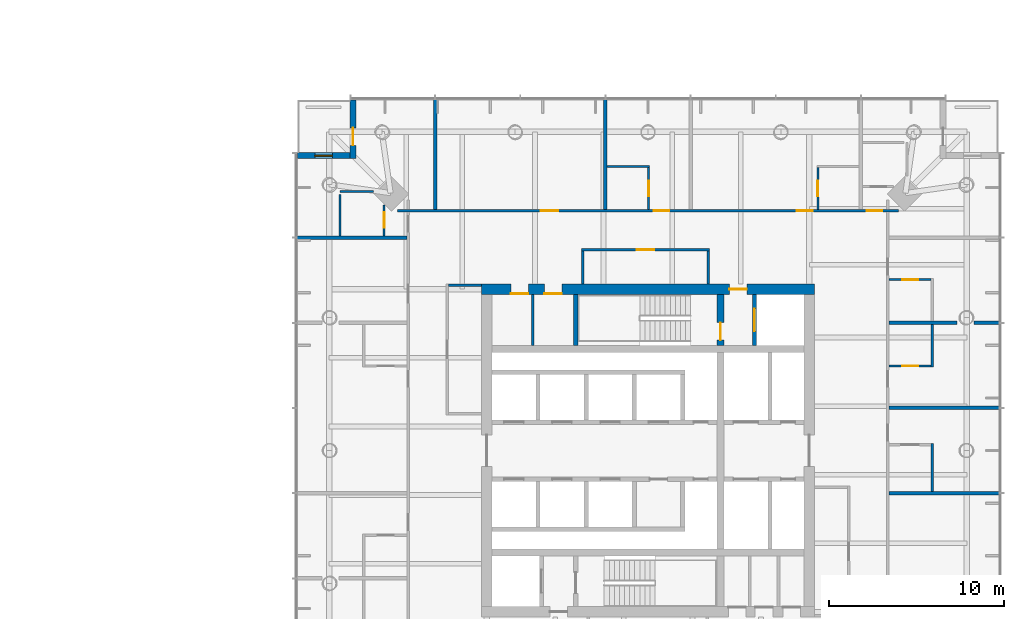
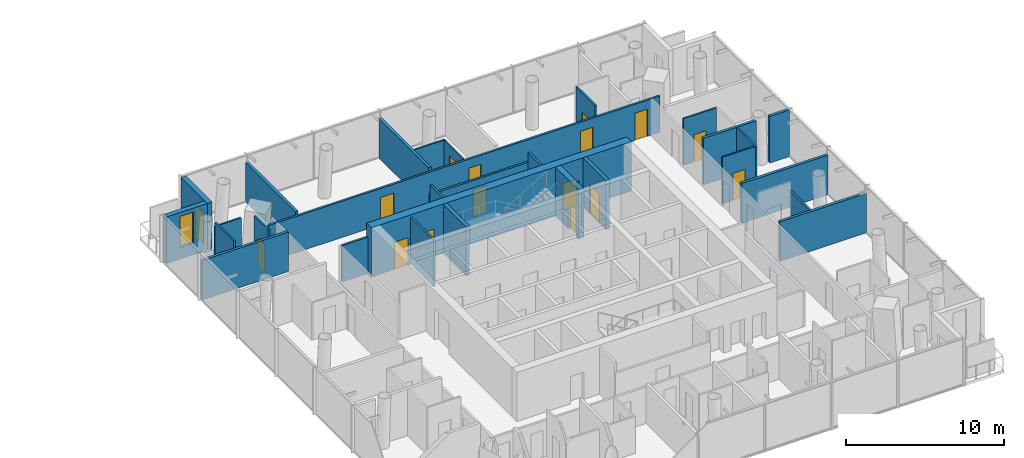
# One storey, part 17 of 22: 29 walls, 16 doors, 1 window, 17 openings.
"""IFC4 building model written with IfcOpenShell, lengths in metres."""

import ifcopenshell
import ifcopenshell.guid

model = None  # the IFC model being written
_history = None  # IfcOwnerHistory: only IFC2X3 demands one
_inside = {}  # id of a spatial element -> (the spatial element, [elements in it])
_under = {}  # id of a project, library or spatial element -> (it, [spatial elements below it])
_declared = {}  # id of a project -> (the project, [libraries it declares])
_typed = {}  # id of a type object -> (the type object, [elements of that type])
_made_of = {}  # id of a material, layer set ... -> (it, [elements and type objects made of it])


def new_model(schema):
    """Start an empty IFC model of exactly this schema.

    Asked for "IFC4X3", IfcOpenShell would pick the latest addendum, in which some entities
    have other attributes; the version numbers below select the first issue.
    IFC2X3 requires an IfcOwnerHistory on every rooted entity: one is made here for all.
    """
    global model, _history
    if schema == "IFC4X3":
        model = ifcopenshell.file(schema_version=(4, 3, 0, 0))
    else:
        model = ifcopenshell.file(schema=schema)
    _inside.clear()
    _under.clear()
    _declared.clear()
    _typed.clear()
    _made_of.clear()
    _history = None
    if model.schema == "IFC2X3":
        org = make("IfcOrganization", Name="unknown")
        user = make(
            "IfcPersonAndOrganization",
            ThePerson=make("IfcPerson", FamilyName="unknown"),
            TheOrganization=org,
        )
        app = make(
            "IfcApplication",
            ApplicationDeveloper=org,
            Version="unknown",
            ApplicationFullName="unknown",
            ApplicationIdentifier="unknown",
        )
        _history = make(
            "IfcOwnerHistory",
            OwningUser=user,
            OwningApplication=app,
            ChangeAction="ADDED",
            CreationDate=0,
        )
    return model


def make(cls, **values):
    """One entity of the class cls with the attributes given. An attribute that is None is left unset."""
    return model.create_entity(
        cls, **{name: value for name, value in values.items() if value is not None}
    )


def rooted(cls, **values):
    """An entity with a GlobalId (a new one), such as an element, a storey or a relation."""
    return make(cls, GlobalId=ifcopenshell.guid.new(), OwnerHistory=_history, **values)


def si_unit(unit_type, name, prefix=None):
    """IfcSIUnit, for example si_unit("LENGTHUNIT", "METRE", prefix="MILLI")."""
    return make("IfcSIUnit", UnitType=unit_type, Prefix=prefix, Name=name)


def assignment(units):
    """IfcUnitAssignment: the units of a project."""
    return None if units is None else make("IfcUnitAssignment", Units=units)


def point(xyz):
    """IfcCartesianPoint."""
    return None if xyz is None else make("IfcCartesianPoint", Coordinates=xyz)


def direction(xyz):
    """IfcDirection."""
    return None if xyz is None else make("IfcDirection", DirectionRatios=xyz)


def frame(location, z_axis=None, x_axis=None):
    """IfcAxis2Placement3D, a coordinate frame: its origin and axes. An axis left out is left unset."""
    return make(
        "IfcAxis2Placement3D",
        Location=point(location),
        Axis=direction(z_axis),
        RefDirection=direction(x_axis),
    )


def frame_2d(location, x_axis=None):
    """IfcAxis2Placement2D, a coordinate frame in the plane: its origin and x axis."""
    return make(
        "IfcAxis2Placement2D", Location=point(location), RefDirection=direction(x_axis)
    )


def origin():
    """The frame at (0, 0, 0) with its axes left unset."""
    return frame((0.0, 0.0, 0.0))


def place(relative_to, where):
    """IfcLocalPlacement: puts the frame where relative to a parent placement (None: the world)."""
    return make(
        "IfcLocalPlacement", PlacementRelTo=relative_to, RelativePlacement=where
    )


def context(
    kind, dimensions, precision=None, world=None, true_north=None, identifier=None
):
    """IfcGeometricRepresentationContext, for example the 3D "Model" context."""
    return make(
        "IfcGeometricRepresentationContext",
        ContextIdentifier=identifier,
        ContextType=kind,
        CoordinateSpaceDimension=dimensions,
        Precision=precision,
        WorldCoordinateSystem=world,
        TrueNorth=true_north,
    )


def subcontext(parent, identifier, kind, view, scale=None):
    """IfcGeometricRepresentationSubContext, for example "Body" below "Model"."""
    return make(
        "IfcGeometricRepresentationSubContext",
        ContextIdentifier=identifier,
        ContextType=kind,
        ParentContext=parent,
        TargetScale=scale,
        TargetView=view,
    )


def project(units=None, contexts=None):
    """IfcProject with its units and contexts."""
    return rooted(
        "IfcProject",
        Name="project",
        RepresentationContexts=contexts,
        UnitsInContext=assignment(units),
    )


def spatial(cls, under=None, at=None, **own):
    """A site, building, storey or space (cls), placed at a placement, below another one or the project."""
    s = rooted(cls, ObjectPlacement=at, **own)
    if under is not None:
        _under.setdefault(under.id(), (under, []))[1].append(s)
    return s


def profile(cls, at=None, kind="AREA", **sizes):
    """A parametric profile (cls). Its sizes go by their IFC names, for example OverallWidth=200.0."""
    return make(cls, ProfileType=kind, Position=at, **sizes)


def rectangle(**sizes):
    """IfcRectangleProfileDef."""
    return profile("IfcRectangleProfileDef", **sizes)


def extrude(swept, where, along, depth):
    """IfcExtrudedAreaSolid: the profile swept, set in the frame where, extruded along a direction by depth."""
    return make(
        "IfcExtrudedAreaSolid",
        SweptArea=swept,
        Position=where,
        ExtrudedDirection=direction(along),
        Depth=depth,
    )


def shape(context_of_items, identifier, shape_type, items):
    """IfcShapeRepresentation: the items that make up one representation, for example the "Body"."""
    return make(
        "IfcShapeRepresentation",
        ContextOfItems=context_of_items,
        RepresentationIdentifier=identifier,
        RepresentationType=shape_type,
        Items=items,
    )


def material(Name=None, Category=None):
    """IfcMaterial."""
    return make("IfcMaterial", Name=Name, Category=Category)


def layer(
    of_material, thickness, ventilated=None, Name=None, Category=None, Priority=None
):
    """IfcMaterialLayer: one layer of a wall or slab, of a material (None: an air gap)."""
    return make(
        "IfcMaterialLayer",
        Material=of_material,
        LayerThickness=thickness,
        IsVentilated=ventilated,
        Name=Name,
        Category=Category,
        Priority=Priority,
    )


def layer_set(layers, Name=None):
    """IfcMaterialLayerSet."""
    return make("IfcMaterialLayerSet", MaterialLayers=layers, LayerSetName=Name)


def made_of(thing, what):
    """Note that an element or type object is made of a material, layer set ...; save() writes the relation."""
    if what is not None:
        _made_of.setdefault(what.id(), (what, []))[1].append(thing)
    return thing


def type_object(cls, material=None, **own):
    """A type object (cls), such as IfcWallType, which elements share."""
    return made_of(rooted(cls, **own), material)


def element(
    cls,
    number,
    at=None,
    inside=None,
    cuts=None,
    type_object=None,
    material=None,
    context=None,
    identifier="Body",
    shape_type=None,
    held_by="IfcProductDefinitionShape",
    body=None,
    shapes=None,
    **own,
):
    """One element of the class cls, such as IfcWall. Its Tag is "e" and its number.

    at: its placement. inside: the storey or other place that contains it. cuts: it is an
    opening in that element (IfcRelVoidsElement). A single representation is given by context,
    identifier, shape_type and body (its items); several are given by shapes. held_by: the class
    of the entity that holds the representations. save() writes the other relations.
    """
    e = rooted(cls, Tag="e%d" % number, ObjectPlacement=at, **own)
    if body is not None:
        shapes = [shape(context, identifier, shape_type, body)]
    if shapes is not None:
        e.Representation = make(held_by, Representations=shapes)
    if inside is not None:
        _inside.setdefault(inside.id(), (inside, []))[1].append(e)
    if cuts is not None:
        rooted(
            "IfcRelVoidsElement", RelatingBuildingElement=cuts, RelatedOpeningElement=e
        )
    if type_object is not None:
        _typed.setdefault(type_object.id(), (type_object, []))[1].append(e)
    return made_of(e, material)


def fill(opening, filler):
    """IfcRelFillsElement: the door or window that sits in an opening."""
    return rooted(
        "IfcRelFillsElement",
        RelatingOpeningElement=opening,
        RelatedBuildingElement=filler,
    )


def aggregate(whole, parts):
    """IfcRelAggregates: a whole, such as a stair, and the parts it consists of."""
    return rooted("IfcRelAggregates", RelatingObject=whole, RelatedObjects=parts)


def save(model, path):
    """Write the relations noted so far, then the file.

    IfcRelAggregates (storeys below a building ...), IfcRelContainedInSpatialStructure (elements
    in a storey), IfcRelDefinesByType, IfcRelAssociatesMaterial and IfcRelDeclares: one each for
    every whole, place, type object, material and project.
    """
    for whole, parts in _under.values():
        aggregate(whole, parts)
    for where, things in _inside.values():
        rooted(
            "IfcRelContainedInSpatialStructure",
            RelatedElements=things,
            RelatingStructure=where,
        )
    for kind, things in _typed.values():
        rooted("IfcRelDefinesByType", RelatedObjects=things, RelatingType=kind)
    for what, things in _made_of.values():
        rooted("IfcRelAssociatesMaterial", RelatedObjects=things, RelatingMaterial=what)
    for by, libraries in _declared.values():
        rooted("IfcRelDeclares", RelatingContext=by, RelatedDefinitions=libraries)
    model.write(path)


model = new_model("IFC4")

# Units and contexts
model_context = context("Model", 3, precision=1e-05, world=origin(), true_north=direction((0.0, 1.0)))
body_context = subcontext(model_context, "Body", "Model", "MODEL_VIEW")
ifc_project = project(units=[si_unit("LENGTHUNIT", "METRE"), si_unit("AREAUNIT", "SQUARE_METRE"), si_unit("VOLUMEUNIT", "CUBIC_METRE"), si_unit("PLANEANGLEUNIT", "RADIAN"), si_unit("MASSUNIT", "GRAM", prefix="KILO")], contexts=[model_context])

# Site, building, storey
site_placement = place(None, origin())
site = spatial("IfcSite", under=ifc_project, at=site_placement, CompositionType="ELEMENT")
building_placement = place(site_placement, origin())
building = spatial("IfcBuilding", under=site, at=building_placement, Name="Ostroluk Exchange", CompositionType="ELEMENT")
storey_placement = place(building_placement, frame((0.0, 0.0, 40.0)))
storey = spatial("IfcBuildingStorey", under=building, at=storey_placement, Name="L09", CompositionType="ELEMENT", Elevation=40.0)

# Wall
ifc_material_1 = material(Name="Concrete blockwork", Category="masonry")
ifc_layer_1 = layer(ifc_material_1, 0.14990234375)
ifc_layer_set_1 = layer_set([ifc_layer_1], Name="Blockwork plant room wall 150")
wall_type_1 = type_object("IfcWallType", Name="Blockwork plant room wall 150", PredefinedType="SOLIDWALL", material=ifc_layer_set_1)
wall_1_placement = place(storey_placement, frame((110.425048828125, 52.0, 0.0), z_axis=(0.0, 0.0, 1.0), x_axis=(0.0, 1.0, 0.0)))
element("IfcWall", 1, at=wall_1_placement, inside=storey, type_object=wall_type_1, Name="Core room wall", PredefinedType="SOLIDWALL", context=body_context, shape_type="SweptSolid", body=[
    extrude(rectangle(XDim=2.89990234375, YDim=0.14990234375, at=frame_2d((1.449951171875, 0.0))), origin(), (0.0, 0.0, 1.0), 3.60009765625),
])

# Wall, opening, door
ifc_material_2 = material(Name="Concrete C50/60", Category="concrete")
ifc_layer_2 = layer(ifc_material_2, 0.39990234375)
ifc_layer_set_2 = layer_set([ifc_layer_2], Name="Core cross wall 400 C50/60")
wall_type_2 = type_object("IfcWallType", Name="Core cross wall 400 C50/60", PredefinedType="SHEAR", material=ifc_layer_set_2)
wall_2_placement = place(storey_placement, frame((121.1298828125, 52.0, 0.0), z_axis=(0.0, 0.0, 1.0), x_axis=(0.0, 1.0, 0.0)))
wall_2 = element("IfcWall", 2, at=wall_2_placement, inside=storey, type_object=wall_type_2, Name="T2 core wall YE3", PredefinedType="SHEAR", context=body_context, shape_type="SweptSolid", body=[
    extrude(rectangle(XDim=2.89990234375, YDim=0.39990234375, at=frame_2d((1.449951171875, 0.0))), origin(), (0.0, 0.0, 1.0), 3.800048828125),
])
opening_1_placement = place(wall_2_placement, frame((0.300048828125, 0.0, 0.0)))
opening_1 = element("IfcOpeningElement", 3, at=opening_1_placement, cuts=wall_2, Name="Opening FD60", PredefinedType="OPENING", context=body_context, shape_type="SweptSolid", body=[
    extrude(rectangle(XDim=1.0, YDim=2.10009765625, at=frame_2d((0.5, 1.050048828125))), frame((0.0, 0.2099609375, 0.0), z_axis=(0.0, -1.0, 0.0), x_axis=(1.0, 0.0, 0.0)), (0.0, 0.0, 1.0), 0.419921875),
])
ifc_material_3 = material(Name="Steel", Category="steel")
door_type_1 = type_object("IfcDoorType", Name="Fire door EI 60 1000 x 2100", OperationType="SINGLE_SWING_LEFT", PredefinedType="DOOR", material=ifc_material_3)
door_1_placement = place(opening_1_placement, origin())
door_1 = element("IfcDoor", 4, at=door_1_placement, inside=storey, type_object=door_type_1, Name="Stair T2-S2 door", OperationType="SINGLE_SWING_LEFT", OverallHeight=2.10009765625, OverallWidth=1.0, PredefinedType="DOOR", context=body_context, shape_type="SweptSolid", body=[
    extrude(rectangle(XDim=1.0, YDim=2.10009765625, at=frame_2d((0.5, 1.050048828125))), frame((0.0, 0.02490234375, 0.0), z_axis=(0.0, -1.0, 0.0), x_axis=(1.0, 0.0, 0.0)), (0.0, 0.0, 1.0), 0.050048828125),
])
fill(opening_1, door_1)

# Wall
ifc_material_4 = material(Name="Concrete C40/50", Category="concrete")
ifc_layer_3 = layer(ifc_material_4, 0.25)
ifc_layer_set_3 = layer_set([ifc_layer_3], Name="Core shaft wall 250")
wall_type_3 = type_object("IfcWallType", Name="Core shaft wall 250", PredefinedType="SHEAR", material=ifc_layer_set_3)
wall_3_placement = place(storey_placement, frame((112.875, 52.0, 0.0), z_axis=(0.0, 0.0, 1.0), x_axis=(0.0, 1.0, 0.0)))
element("IfcWall", 5, at=wall_3_placement, inside=storey, type_object=wall_type_3, Name="Stair shaft wall", PredefinedType="SHEAR", context=body_context, shape_type="SweptSolid", body=[
    extrude(rectangle(XDim=2.89990234375, YDim=0.25, at=frame_2d((1.449951171875, 0.0))), origin(), (0.0, 0.0, 1.0), 3.800048828125),
])

# Wall, opening, door
wall_4_placement = place(storey_placement, frame((123.074951171875, 52.0, 0.0), z_axis=(0.0, 0.0, 1.0), x_axis=(0.0, 1.0, 0.0)))
wall_4 = element("IfcWall", 6, at=wall_4_placement, inside=storey, type_object=wall_type_3, Name="Firefighting lift shaft wall", PredefinedType="SHEAR", context=body_context, shape_type="SweptSolid", body=[
    extrude(rectangle(XDim=2.89990234375, YDim=0.25, at=frame_2d((1.449951171875, 0.0))), origin(), (0.0, 0.0, 1.0), 3.800048828125),
])
opening_2_placement = place(wall_4_placement, frame((0.800048828125, 0.0, 0.0)))
opening_2 = element("IfcOpeningElement", 7, at=opening_2_placement, cuts=wall_4, Name="Opening LD2", PredefinedType="OPENING", context=body_context, shape_type="SweptSolid", body=[
    extrude(rectangle(XDim=1.300048828125, YDim=2.199951171875, at=frame_2d((0.64990234375, 1.10009765625))), frame((0.0, 0.135009765625, 0.0), z_axis=(0.0, -1.0, 0.0), x_axis=(1.0, 0.0, 0.0)), (0.0, 0.0, 1.0), 0.27001953125),
])
ifc_material_5 = material(Name="Stainless steel", Category="steel")
door_type_2 = type_object("IfcDoorType", Name="Lift landing door E 60 1300 x 2200", OperationType="DOUBLE_DOOR_SLIDING", PredefinedType="DOOR", material=ifc_material_5)
door_2_placement = place(opening_2_placement, origin())
door_2 = element("IfcDoor", 8, at=door_2_placement, inside=storey, type_object=door_type_2, Name="Lift HF2 landing door", OperationType="DOUBLE_DOOR_SLIDING", OverallHeight=2.199951171875, OverallWidth=1.300048828125, PredefinedType="DOOR", context=body_context, shape_type="SweptSolid", body=[
    extrude(rectangle(XDim=1.300048828125, YDim=2.199951171875, at=frame_2d((0.64990234375, 1.10009765625))), frame((0.0, 0.02490234375, 0.0), z_axis=(0.0, -1.0, 0.0), x_axis=(1.0, 0.0, 0.0)), (0.0, 0.0, 1.0), 0.050048828125),
])
fill(opening_2, door_2)

# Wall, openings, doors
ifc_material_6 = material(Name="Concrete C50/60", Category="concrete")
ifc_layer_4 = layer(ifc_material_6, 0.60009765625)
ifc_layer_set_4 = layer_set([ifc_layer_4], Name="Core wall 600 C50/60")
wall_type_4 = type_object("IfcWallType", Name="Core wall 600 C50/60", PredefinedType="SHEAR", material=ifc_layer_set_4)
wall_5_placement = place(storey_placement, frame((107.5, 55.199951171875, 0.0), z_axis=(0.0, 0.0, 1.0), x_axis=(1.0, 0.0, 0.0)))
wall_5 = element("IfcWall", 9, at=wall_5_placement, inside=storey, type_object=wall_type_4, Name="T2 core wall N", PredefinedType="SHEAR", context=body_context, shape_type="SweptSolid", body=[
    extrude(rectangle(XDim=19.0, YDim=0.60009765625, at=frame_2d((9.5, 0.0))), origin(), (0.0, 0.0, 1.0), 3.800048828125),
])
opening_3_placement = place(wall_5_placement, frame((14.139892578125, 0.0, 0.0)))
opening_3 = element("IfcOpeningElement", 10, at=opening_3_placement, cuts=wall_5, Name="Opening FD60", PredefinedType="OPENING", context=body_context, shape_type="SweptSolid", body=[
    extrude(rectangle(XDim=1.0, YDim=2.10009765625, at=frame_2d((0.5, 1.050048828125))), frame((0.0, 0.31005859375, 0.0), z_axis=(0.0, -1.0, 0.0), x_axis=(1.0, 0.0, 0.0)), (0.0, 0.0, 1.0), 0.6201171875),
])
opening_4_placement = place(wall_5_placement, frame((1.675048828125, 0.0, 0.0)))
opening_4 = element("IfcOpeningElement", 11, at=opening_4_placement, cuts=wall_5, Name="Opening FD60", PredefinedType="OPENING", context=body_context, shape_type="SweptSolid", body=[
    extrude(rectangle(XDim=1.0, YDim=2.10009765625, at=frame_2d((0.5, 1.050048828125))), frame((0.0, 0.31005859375, 0.0), z_axis=(0.0, -1.0, 0.0), x_axis=(1.0, 0.0, 0.0)), (0.0, 0.0, 1.0), 0.6201171875),
])
opening_5_placement = place(wall_5_placement, frame((3.58740234375, 0.0, 0.0)))
opening_5 = element("IfcOpeningElement", 12, at=opening_5_placement, cuts=wall_5, Name="Opening FD60", PredefinedType="OPENING", context=body_context, shape_type="SweptSolid", body=[
    extrude(rectangle(XDim=1.0, YDim=2.10009765625, at=frame_2d((0.5, 1.050048828125))), frame((0.0, 0.31005859375, 0.0), z_axis=(0.0, -1.0, 0.0), x_axis=(1.0, 0.0, 0.0)), (0.0, 0.0, 1.0), 0.6201171875),
])
door_3_placement = place(opening_3_placement, origin())
door_3 = element("IfcDoor", 13, at=door_3_placement, inside=storey, type_object=door_type_1, Name="Firefighting lobby door", OperationType="SINGLE_SWING_RIGHT", OverallHeight=2.10009765625, OverallWidth=1.0, PredefinedType="DOOR", context=body_context, shape_type="SweptSolid", body=[
    extrude(rectangle(XDim=1.0, YDim=2.10009765625, at=frame_2d((0.5, 1.050048828125))), frame((0.0, 0.02490234375, 0.0), z_axis=(0.0, -1.0, 0.0), x_axis=(1.0, 0.0, 0.0)), (0.0, 0.0, 1.0), 0.050048828125),
])
fill(opening_3, door_3)
door_4_placement = place(opening_4_placement, origin())
door_4 = element("IfcDoor", 14, at=door_4_placement, inside=storey, type_object=door_type_1, Name="Room-service pantry door", OperationType="SINGLE_SWING_LEFT", OverallHeight=2.10009765625, OverallWidth=1.0, PredefinedType="DOOR", context=body_context, shape_type="SweptSolid", body=[
    extrude(rectangle(XDim=1.0, YDim=2.10009765625, at=frame_2d((0.5, 1.050048828125))), frame((0.0, -0.23974609375, 0.0), z_axis=(0.0, -1.0, 0.0), x_axis=(1.0, 0.0, 0.0)), (0.0, 0.0, 1.0), 0.050048828125),
])
fill(opening_4, door_4)
door_5_placement = place(opening_5_placement, origin())
door_5 = element("IfcDoor", 15, at=door_5_placement, inside=storey, type_object=door_type_1, Name="Guest pantry door", OperationType="SINGLE_SWING_LEFT", OverallHeight=2.10009765625, OverallWidth=1.0, PredefinedType="DOOR", context=body_context, shape_type="SweptSolid", body=[
    extrude(rectangle(XDim=1.0, YDim=2.10009765625, at=frame_2d((0.5, 1.050048828125))), frame((0.0, -0.23974609375, 0.0), z_axis=(0.0, -1.0, 0.0), x_axis=(1.0, 0.0, 0.0)), (0.0, 0.0, 1.0), 0.050048828125),
])
fill(opening_5, door_5)

# Wall, opening, door
ifc_material_7 = material(Name="Limestone", Category="masonry")
ifc_layer_5 = layer(ifc_material_7, 0.35009765625)
ifc_layer_set_5 = layer_set([ifc_layer_5], Name="Limestone facade wall 350")
wall_type_5 = type_object("IfcWallType", Name="Limestone facade wall 350", PredefinedType="SOLIDWALL", material=ifc_layer_set_5)
wall_6_placement = place(storey_placement, frame((100.175048828125, 66.0, 0.0), z_axis=(0.0, 0.0, 1.0), x_axis=(0.0, -1.0, 0.0)))
wall_6 = element("IfcWall", 16, at=wall_6_placement, inside=storey, type_object=wall_type_5, Name="Hotel tower NW corner wall L09 a", PredefinedType="SOLIDWALL", context=body_context, shape_type="SweptSolid", body=[
    extrude(rectangle(XDim=3.35009765625, YDim=0.35009765625, at=frame_2d((1.675048828125, 0.0))), origin(), (0.0, 0.0, 1.0), 3.60009765625),
])
opening_6_placement = place(wall_6_placement, frame((1.60009765625, 0.0, 0.0)))
opening_6 = element("IfcOpeningElement", 17, at=opening_6_placement, cuts=wall_6, Name="Opening D-B1", PredefinedType="OPENING", context=body_context, shape_type="SweptSolid", body=[
    extrude(rectangle(XDim=1.0, YDim=2.39990234375, at=frame_2d((0.5, 1.199951171875))), frame((0.0, 0.18505859375, 0.0), z_axis=(0.0, -1.0, 0.0), x_axis=(1.0, 0.0, 0.0)), (0.0, 0.0, 1.0), 0.3701171875),
])
ifc_material_8 = material(Name="Bronze framed glazed door", Category="aluminium")
door_type_3 = type_object("IfcDoorType", Name="Balcony door 1000 x 2400", OperationType="SINGLE_SWING_LEFT", PredefinedType="DOOR", material=ifc_material_8)
door_6_placement = place(opening_6_placement, origin())
door_6 = element("IfcDoor", 18, at=door_6_placement, inside=storey, type_object=door_type_3, Name="Hotel tower NW balcony door L09", OperationType="SINGLE_SWING_RIGHT", OverallHeight=2.39990234375, OverallWidth=1.0, PredefinedType="DOOR", context=body_context, shape_type="SweptSolid", body=[
    extrude(rectangle(XDim=1.0, YDim=2.39990234375, at=frame_2d((0.5, 1.199951171875))), frame((0.0, 0.02490234375, 0.0), z_axis=(0.0, -1.0, 0.0), x_axis=(1.0, 0.0, 0.0)), (0.0, 0.0, 1.0), 0.050048828125),
])
fill(opening_6, door_6)

# Wall, opening, window
wall_7_placement = place(storey_placement, frame((100.0, 62.824951171875, 0.0), z_axis=(0.0, 0.0, 1.0), x_axis=(-1.0, 0.0, 0.0)))
wall_7 = element("IfcWall", 19, at=wall_7_placement, inside=storey, type_object=wall_type_5, Name="Hotel tower NW corner wall L09 b", PredefinedType="SOLIDWALL", context=body_context, shape_type="SweptSolid", body=[
    extrude(rectangle(XDim=3.0, YDim=0.35009765625, at=frame_2d((1.5, 0.0))), origin(), (0.0, 0.0, 1.0), 3.60009765625),
])
opening_7_placement = place(wall_7_placement, frame((1.0, 0.0, 0.89990234375)))
opening_7 = element("IfcOpeningElement", 20, at=opening_7_placement, cuts=wall_7, Name="Opening WN-L3", PredefinedType="OPENING", context=body_context, shape_type="SweptSolid", body=[
    extrude(rectangle(XDim=1.0, YDim=2.39990234375, at=frame_2d((0.5, 1.199951171875))), frame((0.0, 0.18505859375, 0.0), z_axis=(0.0, -1.0, 0.0), x_axis=(1.0, 0.0, 0.0)), (0.0, 0.0, 1.0), 0.3701171875),
])
ifc_material_9 = material(Name="Laminated clear glass", Category="glass")
window_type = type_object("IfcWindowType", Name="Hotel lancet window 1000 x 2400", PartitioningType="SINGLE_PANEL", PredefinedType="WINDOW", material=ifc_material_9)
window_placement = place(opening_7_placement, origin())
window = element("IfcWindow", 21, at=window_placement, inside=storey, type_object=window_type, Name="Hotel tower NW lancet window L09", OverallHeight=2.39990234375, OverallWidth=1.0, PartitioningType="SINGLE_PANEL", PredefinedType="WINDOW", context=body_context, shape_type="SweptSolid", body=[
    extrude(rectangle(XDim=1.0, YDim=2.39990234375, at=frame_2d((0.5, 1.199951171875))), frame((0.0, 0.030029296875, 0.0), z_axis=(0.0, -1.0, 0.0), x_axis=(1.0, 0.0, 0.0)), (0.0, 0.0, 1.0), 0.06005859375),
])
fill(opening_7, window)

# Walls
ifc_material_10 = material(Name="Gypsum plasterboard partition, moisture resistant", Category="gypsum")
ifc_layer_6 = layer(ifc_material_10, 0.1201171875)
ifc_layer_set_6 = layer_set([ifc_layer_6], Name="Plasterboard en-suite wall 120")
wall_type_6 = type_object("IfcWallType", Name="Plasterboard en-suite wall 120", PredefinedType="PARTITIONING", material=ifc_layer_set_6)
wall_8_placement = place(storey_placement, frame((133.2099609375, 43.67138671875, 0.0), z_axis=(0.0, 0.0, 1.0), x_axis=(0.0, 1.0, 0.0)))
element("IfcWall", 22, at=wall_8_placement, inside=storey, type_object=wall_type_6, Name="En-suite wall", PredefinedType="PARTITIONING", context=body_context, shape_type="SweptSolid", body=[
    extrude(rectangle(XDim=2.719970703125, YDim=0.1201171875, at=frame_2d((1.35986328125, 0.0))), origin(), (0.0, 0.0, 1.0), 2.846923828125),
])
wall_9_placement = place(storey_placement, frame((133.2099609375, 50.765625, 0.0), z_axis=(0.0, 0.0, 1.0), x_axis=(0.0, 1.0, 0.0)))
element("IfcWall", 23, at=wall_9_placement, inside=storey, type_object=wall_type_6, Name="En-suite wall", PredefinedType="PARTITIONING", context=body_context, shape_type="SweptSolid", body=[
    extrude(rectangle(XDim=2.420166015625, YDim=0.1201171875, at=frame_2d((1.2099609375, 0.0))), origin(), (0.0, 0.0, 1.0), 3.60009765625),
])

# Wall, opening, door
wall_10_placement = place(storey_placement, frame((130.75, 50.82568359375, 0.0), z_axis=(0.0, 0.0, 1.0), x_axis=(1.0, 0.0, 0.0)))
wall_10 = element("IfcWall", 24, at=wall_10_placement, inside=storey, type_object=wall_type_6, Name="En-suite wall", PredefinedType="PARTITIONING", context=body_context, shape_type="SweptSolid", body=[
    extrude(rectangle(XDim=2.39990234375, YDim=0.1201171875, at=frame_2d((1.199951171875, 0.0))), origin(), (0.0, 0.0, 1.0), 3.60009765625),
])
opening_8_placement = place(wall_10_placement, frame((0.75, 0.0, 0.0)))
opening_8 = element("IfcOpeningElement", 25, at=opening_8_placement, cuts=wall_10, Name="Opening D-02", PredefinedType="OPENING", context=body_context, shape_type="SweptSolid", body=[
    extrude(rectangle(XDim=0.89990234375, YDim=2.10009765625, at=frame_2d((0.449951171875, 1.050048828125))), frame((0.0, 0.070068359375, 0.0), z_axis=(0.0, -1.0, 0.0), x_axis=(1.0, 0.0, 0.0)), (0.0, 0.0, 1.0), 0.14013671875),
])
ifc_material_11 = material(Name="Timber", Category="wood")
door_type_4 = type_object("IfcDoorType", Name="En-suite door 900 x 2100", OperationType="SINGLE_SWING_LEFT", PredefinedType="DOOR", material=ifc_material_11)
door_7_placement = place(opening_8_placement, origin())
door_7 = element("IfcDoor", 26, at=door_7_placement, inside=storey, type_object=door_type_4, Name="En-suite door 904", OperationType="SINGLE_SWING_LEFT", OverallHeight=2.10009765625, OverallWidth=0.89990234375, PredefinedType="DOOR", context=body_context, shape_type="SweptSolid", body=[
    extrude(rectangle(XDim=0.89990234375, YDim=2.10009765625, at=frame_2d((0.449951171875, 1.050048828125))), frame((0.0, 0.02490234375, 0.0), z_axis=(0.0, -1.0, 0.0), x_axis=(1.0, 0.0, 0.0)), (0.0, 0.0, 1.0), 0.050048828125),
])
fill(opening_8, door_7)

wall_11_placement = place(storey_placement, frame((130.75, 55.74560546875, 0.0), z_axis=(0.0, 0.0, 1.0), x_axis=(1.0, 0.0, 0.0)))
wall_11 = element("IfcWall", 27, at=wall_11_placement, inside=storey, type_object=wall_type_6, Name="En-suite wall", PredefinedType="PARTITIONING", context=body_context, shape_type="SweptSolid", body=[
    extrude(rectangle(XDim=2.39990234375, YDim=0.1201171875, at=frame_2d((1.199951171875, 0.0))), origin(), (0.0, 0.0, 1.0), 3.60009765625),
])
opening_9_placement = place(wall_11_placement, frame((0.75, 0.0, 0.0)))
opening_9 = element("IfcOpeningElement", 28, at=opening_9_placement, cuts=wall_11, Name="Opening D-02", PredefinedType="OPENING", context=body_context, shape_type="SweptSolid", body=[
    extrude(rectangle(XDim=0.89990234375, YDim=2.10009765625, at=frame_2d((0.449951171875, 1.050048828125))), frame((0.0, 0.070068359375, 0.0), z_axis=(0.0, -1.0, 0.0), x_axis=(1.0, 0.0, 0.0)), (0.0, 0.0, 1.0), 0.14013671875),
])
door_8_placement = place(opening_9_placement, origin())
door_8 = element("IfcDoor", 29, at=door_8_placement, inside=storey, type_object=door_type_4, Name="En-suite door 905", OperationType="SINGLE_SWING_LEFT", OverallHeight=2.10009765625, OverallWidth=0.89990234375, PredefinedType="DOOR", context=body_context, shape_type="SweptSolid", body=[
    extrude(rectangle(XDim=0.89990234375, YDim=2.10009765625, at=frame_2d((0.449951171875, 1.050048828125))), frame((0.0, 0.02490234375, 0.0), z_axis=(0.0, -1.0, 0.0), x_axis=(1.0, 0.0, 0.0)), (0.0, 0.0, 1.0), 0.050048828125),
])
fill(opening_9, door_8)

wall_12_placement = place(storey_placement, frame((126.682861328125, 59.75, 0.0), z_axis=(0.0, 0.0, 1.0), x_axis=(0.0, 1.0, 0.0)))
wall_12 = element("IfcWall", 30, at=wall_12_placement, inside=storey, type_object=wall_type_6, Name="En-suite wall", PredefinedType="PARTITIONING", context=body_context, shape_type="SweptSolid", body=[
    extrude(rectangle(XDim=2.39990234375, YDim=0.1201171875, at=frame_2d((1.199951171875, 0.0))), origin(), (0.0, 0.0, 1.0), 3.60009765625),
])
opening_10_placement = place(wall_12_placement, frame((0.75, 0.0, 0.0)))
opening_10 = element("IfcOpeningElement", 31, at=opening_10_placement, cuts=wall_12, Name="Opening D-02", PredefinedType="OPENING", context=body_context, shape_type="SweptSolid", body=[
    extrude(rectangle(XDim=0.89990234375, YDim=2.10009765625, at=frame_2d((0.449951171875, 1.050048828125))), frame((0.0, 0.070068359375, 0.0), z_axis=(0.0, -1.0, 0.0), x_axis=(1.0, 0.0, 0.0)), (0.0, 0.0, 1.0), 0.14013671875),
])
door_9_placement = place(opening_10_placement, origin())
door_9 = element("IfcDoor", 32, at=door_9_placement, inside=storey, type_object=door_type_4, Name="En-suite door 907", OperationType="SINGLE_SWING_RIGHT", OverallHeight=2.10009765625, OverallWidth=0.89990234375, PredefinedType="DOOR", context=body_context, shape_type="SweptSolid", body=[
    extrude(rectangle(XDim=0.89990234375, YDim=2.10009765625, at=frame_2d((0.449951171875, 1.050048828125))), frame((0.0, 0.02490234375, 0.0), z_axis=(0.0, -1.0, 0.0), x_axis=(1.0, 0.0, 0.0)), (0.0, 0.0, 1.0), 0.050048828125),
])
fill(opening_10, door_9)

# Wall
wall_13_placement = place(storey_placement, frame((117.09130859375, 62.2099609375, 0.0), z_axis=(0.0, 0.0, 1.0), x_axis=(-1.0, 0.0, 0.0)))
element("IfcWall", 33, at=wall_13_placement, inside=storey, type_object=wall_type_6, Name="En-suite wall", PredefinedType="PARTITIONING", context=body_context, shape_type="SweptSolid", body=[
    extrude(rectangle(XDim=2.419921875, YDim=0.1201171875, at=frame_2d((1.2099609375, 0.0))), origin(), (0.0, 0.0, 1.0), 2.846923828125),
])

# Wall, opening, door
wall_14_placement = place(storey_placement, frame((117.031494140625, 59.75, 0.0), z_axis=(0.0, 0.0, 1.0), x_axis=(0.0, 1.0, 0.0)))
wall_14 = element("IfcWall", 34, at=wall_14_placement, inside=storey, type_object=wall_type_6, Name="En-suite wall", PredefinedType="PARTITIONING", context=body_context, shape_type="SweptSolid", body=[
    extrude(rectangle(XDim=2.39990234375, YDim=0.1201171875, at=frame_2d((1.199951171875, 0.0))), origin(), (0.0, 0.0, 1.0), 2.846923828125),
])
opening_11_placement = place(wall_14_placement, frame((0.75, 0.0, 0.0)))
opening_11 = element("IfcOpeningElement", 35, at=opening_11_placement, cuts=wall_14, Name="Opening D-02", PredefinedType="OPENING", context=body_context, shape_type="SweptSolid", body=[
    extrude(rectangle(XDim=0.89990234375, YDim=2.10009765625, at=frame_2d((0.449951171875, 1.050048828125))), frame((0.0, 0.070068359375, 0.0), z_axis=(0.0, -1.0, 0.0), x_axis=(1.0, 0.0, 0.0)), (0.0, 0.0, 1.0), 0.14013671875),
])
door_10_placement = place(opening_11_placement, origin())
door_10 = element("IfcDoor", 36, at=door_10_placement, inside=storey, type_object=door_type_4, Name="En-suite door 908", OperationType="SINGLE_SWING_RIGHT", OverallHeight=2.10009765625, OverallWidth=0.89990234375, PredefinedType="DOOR", context=body_context, shape_type="SweptSolid", body=[
    extrude(rectangle(XDim=0.89990234375, YDim=2.10009765625, at=frame_2d((0.449951171875, 1.050048828125))), frame((0.0, 0.02490234375, 0.0), z_axis=(0.0, -1.0, 0.0), x_axis=(1.0, 0.0, 0.0)), (0.0, 0.0, 1.0), 0.050048828125),
])
fill(opening_11, door_10)

wall_15_placement = place(storey_placement, frame((101.949951171875, 58.242919921875, 0.0), z_axis=(0.0, 0.0, 1.0), x_axis=(0.0, 1.0, 0.0)))
wall_15 = element("IfcWall", 37, at=wall_15_placement, inside=storey, type_object=wall_type_6, Name="En-suite wall", PredefinedType="PARTITIONING", context=body_context, shape_type="SweptSolid", body=[
    extrude(rectangle(XDim=1.757080078125, YDim=0.1201171875, at=frame_2d((0.87841796875, 0.0))), origin(), (0.0, 0.0, 1.0), 3.60009765625),
])
opening_12_placement = place(wall_15_placement, frame((0.449951171875, 0.0, 0.0)))
opening_12 = element("IfcOpeningElement", 38, at=opening_12_placement, cuts=wall_15, Name="Opening D-02", PredefinedType="OPENING", context=body_context, shape_type="SweptSolid", body=[
    extrude(rectangle(XDim=0.89990234375, YDim=2.10009765625, at=frame_2d((0.449951171875, 1.050048828125))), frame((0.0, 0.070068359375, 0.0), z_axis=(0.0, -1.0, 0.0), x_axis=(1.0, 0.0, 0.0)), (0.0, 0.0, 1.0), 0.14013671875),
])
door_11_placement = place(opening_12_placement, origin())
door_11 = element("IfcDoor", 39, at=door_11_placement, inside=storey, type_object=door_type_4, Name="En-suite door 909", OperationType="SINGLE_SWING_RIGHT", OverallHeight=2.10009765625, OverallWidth=0.89990234375, PredefinedType="DOOR", context=body_context, shape_type="SweptSolid", body=[
    extrude(rectangle(XDim=0.89990234375, YDim=2.10009765625, at=frame_2d((0.449951171875, 1.050048828125))), frame((0.0, 0.02490234375, 0.0), z_axis=(0.0, -1.0, 0.0), x_axis=(1.0, 0.0, 0.0)), (0.0, 0.0, 1.0), 0.050048828125),
])
fill(opening_12, door_11)

# Walls
wall_16_placement = place(storey_placement, frame((99.429931640625, 58.242919921875, 0.0), z_axis=(0.0, 0.0, 1.0), x_axis=(0.0, 1.0, 0.0)))
element("IfcWall", 40, at=wall_16_placement, inside=storey, type_object=wall_type_6, Name="En-suite wall", PredefinedType="PARTITIONING", context=body_context, shape_type="SweptSolid", body=[
    extrude(rectangle(XDim=2.367919921875, YDim=0.1201171875, at=frame_2d((1.18408203125, 0.0))), origin(), (0.0, 0.0, 1.0), 3.60009765625),
])
wall_17_placement = place(storey_placement, frame((101.350830078125, 60.762939453125, 0.0), z_axis=(0.0, 0.0, 1.0), x_axis=(-1.0, 0.0, 0.0)))
element("IfcWall", 41, at=wall_17_placement, inside=storey, type_object=wall_type_6, Name="En-suite wall", PredefinedType="PARTITIONING", context=body_context, shape_type="SweptSolid", body=[
    extrude(rectangle(XDim=1.9208984375, YDim=0.1201171875, at=frame_2d((0.96044921875, 0.0))), origin(), (0.0, 0.0, 1.0), 3.199951171875),
])

# Wall, opening, door
ifc_material_12 = material(Name="Gypsum plasterboard partition", Category="gypsum")
ifc_layer_7 = layer(ifc_material_12, 0.14990234375)
ifc_layer_set_7 = layer_set([ifc_layer_7], Name="Plasterboard partition 150")
wall_type_7 = type_object("IfcWallType", Name="Plasterboard partition 150", PredefinedType="PARTITIONING", material=ifc_layer_set_7)
wall_18_placement = place(storey_placement, frame((120.514892578125, 57.449951171875, 0.0), z_axis=(0.0, 0.0, 1.0), x_axis=(-1.0, 0.0, 0.0)))
wall_18 = element("IfcWall", 42, at=wall_18_placement, inside=storey, type_object=wall_type_7, Name="Partition", PredefinedType="PARTITIONING", context=body_context, shape_type="SweptSolid", body=[
    extrude(rectangle(XDim=7.302490234375, YDim=0.14990234375, at=frame_2d((3.6513671875, 0.0))), origin(), (0.0, 0.0, 1.0), 2.846923828125),
])
opening_13_placement = place(wall_18_placement, frame((3.1513671875, 0.0, 0.0)))
opening_13 = element("IfcOpeningElement", 43, at=opening_13_placement, cuts=wall_18, Name="Opening D-03", PredefinedType="OPENING", context=body_context, shape_type="SweptSolid", body=[
    extrude(rectangle(XDim=1.0, YDim=2.10009765625, at=frame_2d((0.5, 1.050048828125))), frame((0.0, 0.0849609375, 0.0), z_axis=(0.0, -1.0, 0.0), x_axis=(1.0, 0.0, 0.0)), (0.0, 0.0, 1.0), 0.169921875),
])
ifc_material_13 = material(Name="Timber", Category="wood")
door_type_5 = type_object("IfcDoorType", Name="Internal door 1000 x 2100", OperationType="SINGLE_SWING_LEFT", PredefinedType="DOOR", material=ifc_material_13)
door_12_placement = place(opening_13_placement, origin())
door_12 = element("IfcDoor", 44, at=door_12_placement, inside=storey, type_object=door_type_5, Name="Vending and ice room door", OperationType="SINGLE_SWING_RIGHT", OverallHeight=2.10009765625, OverallWidth=1.0, PredefinedType="DOOR", context=body_context, shape_type="SweptSolid", body=[
    extrude(rectangle(XDim=1.0, YDim=2.10009765625, at=frame_2d((0.5, 1.050048828125))), frame((0.0, 0.02490234375, 0.0), z_axis=(0.0, -1.0, 0.0), x_axis=(1.0, 0.0, 0.0)), (0.0, 0.0, 1.0), 0.050048828125),
])
fill(opening_13, door_12)

# Walls
for number, where, z_axis, x_axis, name in (
    (45, (120.43994140625, 55.5, 0.0), (0.0, 0.0, 1.0), (0.0, 1.0, 0.0), "Partition"),
    (46, (113.28759765625, 55.5, 0.0), (0.0, 0.0, 1.0), (0.0, 1.0, 0.0), "Partition"),
):
    element("IfcWall", number, at=place(storey_placement, frame(where, z_axis=z_axis, x_axis=x_axis)), inside=storey, type_object=wall_type_7, Name=name, PredefinedType="PARTITIONING", context=body_context, shape_type="SweptSolid", body=[
        extrude(rectangle(XDim=1.875, YDim=0.14990234375, at=frame_2d((0.9375, 0.0))), origin(), (0.0, 0.0, 1.0), 3.60009765625),
    ])
wall_19_placement = place(storey_placement, frame((107.5, 55.425048828125, 0.0), z_axis=(0.0, 0.0, 1.0), x_axis=(-1.0, 0.0, 0.0)))
element("IfcWall", 47, at=wall_19_placement, inside=storey, type_object=wall_type_7, Name="Partition", PredefinedType="PARTITIONING", context=body_context, shape_type="SweptSolid", body=[
    extrude(rectangle(XDim=1.875, YDim=0.14990234375, at=frame_2d((0.9375, 0.0))), origin(), (0.0, 0.0, 1.0), 2.800048828125),
])

# Wall, openings, doors
wall_20_placement = place(storey_placement, frame((131.29443359375, 59.675048828125, 0.0), z_axis=(0.0, 0.0, 1.0), x_axis=(-1.0, 0.0, 0.0)))
wall_20 = element("IfcWall", 48, at=wall_20_placement, inside=storey, type_object=wall_type_7, Name="Corridor wall", PredefinedType="PARTITIONING", context=body_context, shape_type="SweptSolid", body=[
    extrude(rectangle(XDim=28.5888671875, YDim=0.14990234375, at=frame_2d((14.29443359375, 0.0))), origin(), (0.0, 0.0, 1.0), 2.800048828125),
])
opening_14_placement = place(wall_20_placement, frame((0.923095703125, 0.0, 0.0)))
opening_14 = element("IfcOpeningElement", 49, at=opening_14_placement, cuts=wall_20, Name="Opening D-01", PredefinedType="OPENING", context=body_context, shape_type="SweptSolid", body=[
    extrude(rectangle(XDim=0.89990234375, YDim=2.10009765625, at=frame_2d((0.449951171875, 1.050048828125))), frame((0.0, 0.0849609375, 0.0), z_axis=(0.0, -1.0, 0.0), x_axis=(1.0, 0.0, 0.0)), (0.0, 0.0, 1.0), 0.169921875),
])
opening_15_placement = place(wall_20_placement, frame((4.901611328125, 0.0, 0.0)))
opening_15 = element("IfcOpeningElement", 50, at=opening_15_placement, cuts=wall_20, Name="Opening D-01", PredefinedType="OPENING", context=body_context, shape_type="SweptSolid", body=[
    extrude(rectangle(XDim=0.89990234375, YDim=2.10009765625, at=frame_2d((0.449951171875, 1.050048828125))), frame((0.0, 0.0849609375, 0.0), z_axis=(0.0, -1.0, 0.0), x_axis=(1.0, 0.0, 0.0)), (0.0, 0.0, 1.0), 0.169921875),
])
opening_16_placement = place(wall_20_placement, frame((13.072998046875, 0.0, 0.0)))
opening_16 = element("IfcOpeningElement", 51, at=opening_16_placement, cuts=wall_20, Name="Opening D-01", PredefinedType="OPENING", context=body_context, shape_type="SweptSolid", body=[
    extrude(rectangle(XDim=0.89990234375, YDim=2.10009765625, at=frame_2d((0.449951171875, 1.050048828125))), frame((0.0, 0.0849609375, 0.0), z_axis=(0.0, -1.0, 0.0), x_axis=(1.0, 0.0, 0.0)), (0.0, 0.0, 1.0), 0.169921875),
])
opening_17_placement = place(wall_20_placement, frame((19.423095703125, 0.0, 0.0)))
opening_17 = element("IfcOpeningElement", 52, at=opening_17_placement, cuts=wall_20, Name="Opening D-03", PredefinedType="OPENING", context=body_context, shape_type="SweptSolid", body=[
    extrude(rectangle(XDim=1.0, YDim=2.10009765625, at=frame_2d((0.5, 1.050048828125))), frame((0.0, 0.0849609375, 0.0), z_axis=(0.0, -1.0, 0.0), x_axis=(1.0, 0.0, 0.0)), (0.0, 0.0, 1.0), 0.169921875),
])
ifc_material_14 = material(Name="Timber", Category="wood")
door_type_6 = type_object("IfcDoorType", Name="Hotel room door EI 30 Sa 900 x 2100", OperationType="SINGLE_SWING_LEFT", PredefinedType="DOOR", material=ifc_material_14)
door_13_placement = place(opening_14_placement, origin())
door_13 = element("IfcDoor", 53, at=door_13_placement, inside=storey, type_object=door_type_6, Name="Room door 906", OperationType="SINGLE_SWING_LEFT", OverallHeight=2.10009765625, OverallWidth=0.89990234375, PredefinedType="DOOR", context=body_context, shape_type="SweptSolid", body=[
    extrude(rectangle(XDim=0.89990234375, YDim=2.10009765625, at=frame_2d((0.449951171875, 1.050048828125))), frame((0.0, 0.02490234375, 0.0), z_axis=(0.0, -1.0, 0.0), x_axis=(1.0, 0.0, 0.0)), (0.0, 0.0, 1.0), 0.050048828125),
])
fill(opening_14, door_13)
door_14_placement = place(opening_15_placement, origin())
door_14 = element("IfcDoor", 54, at=door_14_placement, inside=storey, type_object=door_type_6, Name="Room door 907", OperationType="SINGLE_SWING_LEFT", OverallHeight=2.10009765625, OverallWidth=0.89990234375, PredefinedType="DOOR", context=body_context, shape_type="SweptSolid", body=[
    extrude(rectangle(XDim=0.89990234375, YDim=2.10009765625, at=frame_2d((0.449951171875, 1.050048828125))), frame((0.0, 0.02490234375, 0.0), z_axis=(0.0, -1.0, 0.0), x_axis=(1.0, 0.0, 0.0)), (0.0, 0.0, 1.0), 0.050048828125),
])
fill(opening_15, door_14)
door_15_placement = place(opening_16_placement, origin())
door_15 = element("IfcDoor", 55, at=door_15_placement, inside=storey, type_object=door_type_6, Name="Room door 908", OperationType="SINGLE_SWING_LEFT", OverallHeight=2.10009765625, OverallWidth=0.89990234375, PredefinedType="DOOR", context=body_context, shape_type="SweptSolid", body=[
    extrude(rectangle(XDim=0.89990234375, YDim=2.10009765625, at=frame_2d((0.449951171875, 1.050048828125))), frame((0.0, 0.02490234375, 0.0), z_axis=(0.0, -1.0, 0.0), x_axis=(1.0, 0.0, 0.0)), (0.0, 0.0, 1.0), 0.050048828125),
])
fill(opening_16, door_15)
door_16_placement = place(opening_17_placement, origin())
door_16 = element("IfcDoor", 56, at=door_16_placement, inside=storey, type_object=door_type_5, Name="Guest lounge door", OperationType="SINGLE_SWING_RIGHT", OverallHeight=2.10009765625, OverallWidth=1.0, PredefinedType="DOOR", context=body_context, shape_type="SweptSolid", body=[
    extrude(rectangle(XDim=1.0, YDim=2.10009765625, at=frame_2d((0.5, 1.050048828125))), frame((0.0, 0.02490234375, 0.0), z_axis=(0.0, -1.0, 0.0), x_axis=(1.0, 0.0, 0.0)), (0.0, 0.0, 1.0), 0.050048828125),
])
fill(opening_17, door_16)

# Walls
ifc_material_15 = material(Name="Gypsum plasterboard partition", Category="gypsum")
ifc_layer_8 = layer(ifc_material_15, 0.199951171875)
ifc_layer_set_8 = layer_set([ifc_layer_8], Name="Plasterboard party wall 200")
wall_type_8 = type_object("IfcWallType", Name="Plasterboard party wall 200", PredefinedType="PARTITIONING", material=ifc_layer_set_8)
for number, where, z_axis, x_axis, name in (
    (57, (130.75, 43.571533203125, 0.0), (0.0, 0.0, 1.0), (1.0, 0.0, 0.0), "Party wall"),
    (58, (130.75, 48.428466796875, 0.0), (0.0, 0.0, 1.0), (1.0, 0.0, 0.0), "Party wall"),
):
    element("IfcWall", number, at=place(storey_placement, frame(where, z_axis=z_axis, x_axis=x_axis)), inside=storey, type_object=wall_type_8, Name=name, PredefinedType="PARTITIONING", context=body_context, shape_type="SweptSolid", body=[
        extrude(rectangle(XDim=6.2900390625, YDim=0.199951171875, at=frame_2d((3.14501953125, 0.0))), origin(), (0.0, 0.0, 1.0), 3.050048828125),
    ])
wall_21_placement = place(storey_placement, frame((130.75, 53.28564453125, 0.0), z_axis=(0.0, 0.0, 1.0), x_axis=(1.0, 0.0, 0.0)))
element("IfcWall", 59, at=wall_21_placement, inside=storey, type_object=wall_type_8, Name="Party wall", PredefinedType="PARTITIONING", context=body_context, shape_type="SweptSolid", body=[
    extrude(rectangle(XDim=3.86083984375, YDim=0.199951171875, at=frame_2d((1.930419921875, 0.0))), origin(), (0.0, 0.0, 1.0), 3.60009765625),
])
wall_22_placement = place(storey_placement, frame((135.587646484375, 53.28564453125, 0.0), z_axis=(0.0, 0.0, 1.0), x_axis=(1.0, 0.0, 0.0)))
element("IfcWall", 60, at=wall_22_placement, inside=storey, type_object=wall_type_8, Name="Party wall", PredefinedType="PARTITIONING", context=body_context, shape_type="SweptSolid", body=[
    extrude(rectangle(XDim=1.452392578125, YDim=0.199951171875, at=frame_2d((0.72607421875, 0.0))), origin(), (0.0, 0.0, 1.0), 3.60009765625),
])
for number, where, z_axis, x_axis, name in (
    (61, (114.571533203125, 59.75, 0.0), (0.0, 0.0, 1.0), (0.0, 1.0, 0.0), "Party wall"),
    (62, (104.857177734375, 59.75, 0.0), (0.0, 0.0, 1.0), (0.0, 1.0, 0.0), "Party wall"),
    (63, (103.25, 58.142822265625, 0.0), (0.0, 0.0, 1.0), (-1.0, 0.0, 0.0), "Party wall"),
):
    element("IfcWall", number, at=place(storey_placement, frame(where, z_axis=z_axis, x_axis=x_axis)), inside=storey, type_object=wall_type_8, Name=name, PredefinedType="PARTITIONING", context=body_context, shape_type="SweptSolid", body=[
        extrude(rectangle(XDim=6.2900390625, YDim=0.199951171875, at=frame_2d((3.14501953125, 0.0))), origin(), (0.0, 0.0, 1.0), 3.050048828125),
    ])

save(model, "model.ifc")
